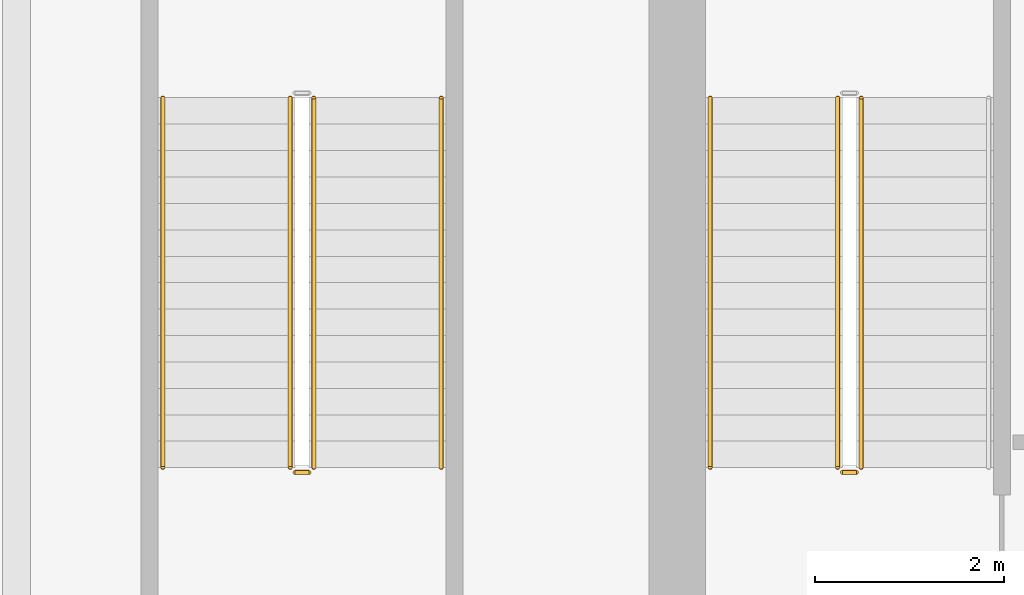
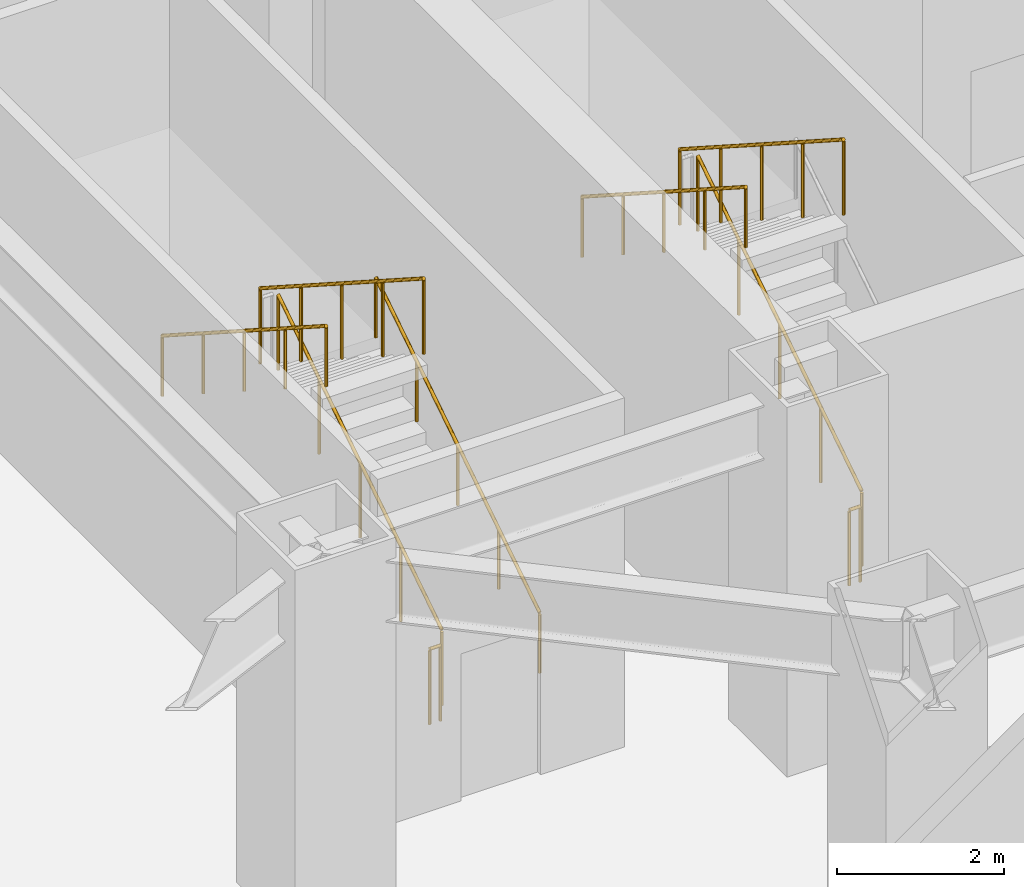
# One storey, part 45 of 51: 9 railings.
"""IFC4 building model written with IfcOpenShell, lengths in metres."""

from ifc_helpers import new_model, si_unit, direction, frame, origin, origin_2d, place, context, subcontext, project, spatial, circle, extrude, material, type_object, element, save


model = new_model("IFC4")

# Units and contexts
model_context = context("Model", 3, precision=1e-05, world=origin(), true_north=direction((0.0, 1.0)))
body_context = subcontext(model_context, "Body", "Model", "MODEL_VIEW")
ifc_project = project(units=[si_unit("LENGTHUNIT", "METRE"), si_unit("AREAUNIT", "SQUARE_METRE"), si_unit("VOLUMEUNIT", "CUBIC_METRE"), si_unit("PLANEANGLEUNIT", "RADIAN"), si_unit("MASSUNIT", "GRAM", prefix="KILO")], contexts=[model_context])

# Site, building, storey
site_placement = place(None, origin())
site = spatial("IfcSite", under=ifc_project, at=site_placement, CompositionType="ELEMENT")
building_placement = place(site_placement, origin())
building = spatial("IfcBuilding", under=site, at=building_placement, Name="Saevonmaru Cultural Tower", CompositionType="ELEMENT")
storey_placement = place(building_placement, frame((0.0, 0.0, 6.0)))
storey = spatial("IfcBuildingStorey", under=building, at=storey_placement, Name="L01", CompositionType="ELEMENT", Elevation=6.0)

# Railings
ifc_material_1 = material(Name="Architectural Painted Steel", Category="steel")
railing_type_1 = type_object("IfcRailingType", Name="RL-STAIR-GUARD", PredefinedType="GUARDRAIL", material=ifc_material_1)
railing_1_placement = place(storey_placement, frame((15.75, 44.85009765625, 0.179931640625)))
element("IfcRailing", 1, at=railing_1_placement, inside=storey, type_object=railing_type_1, Name="L01 ST-1 stair guard 1", PredefinedType="GUARDRAIL", context=body_context, shape_type="SweptSolid", body=[
    extrude(circle(Radius=0.02392578125, at=origin_2d()), frame((0.0, 0.0, 1.09619140625), z_axis=(0.0, 0.841171666519, 0.540768182723), x_axis=(-1.0, 0.0, 0.0)), (0.0, 0.0, 1.0), 4.66015625),
    extrude(circle(Radius=0.02099609375, at=origin_2d()), origin(), (0.0, 0.0, 1.0), 1.072021484375),
    extrude(circle(Radius=0.02099609375, at=origin_2d()), frame((0.0, 0.97998046875, 0.6298828125)), (0.0, 0.0, 1.0), 1.072021484375),
    extrude(circle(Radius=0.02099609375, at=origin_2d()), frame((0.0, 1.9599609375, 1.260009765625)), (0.0, 0.0, 1.0), 1.072021484375),
    extrude(circle(Radius=0.02099609375, at=origin_2d()), frame((0.0, 2.93994140625, 1.89013671875)), (0.0, 0.0, 1.0), 1.072021484375),
    extrude(circle(Radius=0.02099609375, at=origin_2d()), frame((0.0, 3.919921875, 2.52001953125)), (0.0, 0.0, 1.0), 1.072021484375),
])
railing_2_placement = place(storey_placement, frame((15.5, 48.77001953125, 2.8798828125)))
element("IfcRailing", 2, at=railing_2_placement, inside=storey, type_object=railing_type_1, Name="L01 ST-1 stair guard 3", PredefinedType="GUARDRAIL", context=body_context, shape_type="SweptSolid", body=[
    extrude(circle(Radius=0.02392578125, at=origin_2d()), frame((0.0, 0.0, 1.09619140625), z_axis=(0.0, -0.841171666519, 0.540768182723), x_axis=(1.0, 0.0, 0.0)), (0.0, 0.0, 1.0), 4.66015625),
    extrude(circle(Radius=0.02099609375, at=origin_2d()), origin(), (0.0, 0.0, 1.0), 1.072021484375),
    extrude(circle(Radius=0.02099609375, at=origin_2d()), frame((0.0, -0.97998046875, 0.6298828125)), (0.0, 0.0, 1.0), 1.072021484375),
    extrude(circle(Radius=0.02099609375, at=origin_2d()), frame((0.0, -1.9599609375, 1.260009765625)), (0.0, 0.0, 1.0), 1.072021484375),
    extrude(circle(Radius=0.02099609375, at=origin_2d()), frame((0.0, -2.93994140625, 1.89013671875)), (0.0, 0.0, 1.0), 1.072021484375),
    extrude(circle(Radius=0.02099609375, at=origin_2d()), frame((0.0, -3.919921875, 2.52001953125)), (0.0, 0.0, 1.0), 1.072021484375),
])
railing_3_placement = place(storey_placement, frame((15.699951171875, 44.800048828125, 0.0)))
element("IfcRailing", 3, at=railing_3_placement, inside=storey, type_object=railing_type_1, Name="L01 ST-1 stair guard 4", PredefinedType="GUARDRAIL", context=body_context, shape_type="SweptSolid", body=[
    extrude(circle(Radius=0.02392578125, at=origin_2d()), frame((0.0, 0.0, 1.09619140625), z_axis=(-1.0, 0.0, 0.0), x_axis=(0.0, -1.0, 0.0)), (0.0, 0.0, 1.0), 0.14990234375),
    extrude(circle(Radius=0.02099609375, at=origin_2d()), origin(), (0.0, 0.0, 1.0), 1.072021484375),
    extrude(circle(Radius=0.02099609375, at=origin_2d()), frame((-0.14990234375, 0.0, 0.0)), (0.0, 0.0, 1.0), 1.072021484375),
])
railing_4_placement = place(storey_placement, frame((9.949951171875, 44.85009765625, 0.179931640625)))
element("IfcRailing", 4, at=railing_4_placement, inside=storey, type_object=railing_type_1, Name="L01 ST-3 stair guard 1", PredefinedType="GUARDRAIL", context=body_context, shape_type="SweptSolid", body=[
    extrude(circle(Radius=0.02392578125, at=origin_2d()), frame((0.0, 0.0, 1.09619140625), z_axis=(0.0, 0.841171666519, 0.540768182723), x_axis=(-1.0, 0.0, 0.0)), (0.0, 0.0, 1.0), 4.66015625),
    extrude(circle(Radius=0.02099609375, at=origin_2d()), origin(), (0.0, 0.0, 1.0), 1.072021484375),
    extrude(circle(Radius=0.02099609375, at=origin_2d()), frame((0.0, 0.97998046875, 0.6298828125)), (0.0, 0.0, 1.0), 1.072021484375),
    extrude(circle(Radius=0.02099609375, at=origin_2d()), frame((0.0, 1.9599609375, 1.260009765625)), (0.0, 0.0, 1.0), 1.072021484375),
    extrude(circle(Radius=0.02099609375, at=origin_2d()), frame((0.0, 2.93994140625, 1.89013671875)), (0.0, 0.0, 1.0), 1.072021484375),
    extrude(circle(Radius=0.02099609375, at=origin_2d()), frame((0.0, 3.919921875, 2.52001953125)), (0.0, 0.0, 1.0), 1.072021484375),
])
railing_5_placement = place(storey_placement, frame((9.699951171875, 48.77001953125, 2.8798828125)))
element("IfcRailing", 5, at=railing_5_placement, inside=storey, type_object=railing_type_1, Name="L01 ST-3 stair guard 3", PredefinedType="GUARDRAIL", context=body_context, shape_type="SweptSolid", body=[
    extrude(circle(Radius=0.02392578125, at=origin_2d()), frame((0.0, 0.0, 1.09619140625), z_axis=(0.0, -0.841171666519, 0.540768182723), x_axis=(1.0, 0.0, 0.0)), (0.0, 0.0, 1.0), 4.66015625),
    extrude(circle(Radius=0.02099609375, at=origin_2d()), origin(), (0.0, 0.0, 1.0), 1.072021484375),
    extrude(circle(Radius=0.02099609375, at=origin_2d()), frame((0.0, -0.97998046875, 0.6298828125)), (0.0, 0.0, 1.0), 1.072021484375),
    extrude(circle(Radius=0.02099609375, at=origin_2d()), frame((0.0, -1.9599609375, 1.260009765625)), (0.0, 0.0, 1.0), 1.072021484375),
    extrude(circle(Radius=0.02099609375, at=origin_2d()), frame((0.0, -2.93994140625, 1.89013671875)), (0.0, 0.0, 1.0), 1.072021484375),
    extrude(circle(Radius=0.02099609375, at=origin_2d()), frame((0.0, -3.919921875, 2.52001953125)), (0.0, 0.0, 1.0), 1.072021484375),
])
railing_6_placement = place(storey_placement, frame((9.89990234375, 44.800048828125, 0.0)))
element("IfcRailing", 6, at=railing_6_placement, inside=storey, type_object=railing_type_1, Name="L01 ST-3 stair guard 4", PredefinedType="GUARDRAIL", context=body_context, shape_type="SweptSolid", body=[
    extrude(circle(Radius=0.02392578125, at=origin_2d()), frame((0.0, 0.0, 1.09619140625), z_axis=(-1.0, 0.0, 0.0), x_axis=(0.0, -1.0, 0.0)), (0.0, 0.0, 1.0), 0.14990234375),
    extrude(circle(Radius=0.02099609375, at=origin_2d()), origin(), (0.0, 0.0, 1.0), 1.072021484375),
    extrude(circle(Radius=0.02099609375, at=origin_2d()), frame((-0.14990234375, 0.0, 0.0)), (0.0, 0.0, 1.0), 1.072021484375),
])
ifc_material_2 = material(Name="Satin Bronze Anodised Aluminium", Category="aluminium")
railing_type_2 = type_object("IfcRailingType", Name="RL-STAIR-HANDRAIL", PredefinedType="HANDRAIL", material=ifc_material_2)
railing_7_placement = place(storey_placement, frame((14.14990234375, 48.77001953125, 2.8798828125)))
element("IfcRailing", 7, at=railing_7_placement, inside=storey, type_object=railing_type_2, Name="L01 ST-1 stair handrail 2", PredefinedType="HANDRAIL", context=body_context, shape_type="SweptSolid", body=[
    extrude(circle(Radius=0.02392578125, at=origin_2d()), frame((0.0, 0.0, 0.8759765625), z_axis=(0.0, -0.841171666519, 0.540768182723), x_axis=(1.0, 0.0, 0.0)), (0.0, 0.0, 1.0), 4.66015625),
    extrude(circle(Radius=0.02099609375, at=origin_2d()), origin(), (0.0, 0.0, 1.0), 0.851806640625),
    extrude(circle(Radius=0.02099609375, at=origin_2d()), frame((0.0, -0.97998046875, 0.6298828125)), (0.0, 0.0, 1.0), 0.851806640625),
    extrude(circle(Radius=0.02099609375, at=origin_2d()), frame((0.0, -1.9599609375, 1.260009765625)), (0.0, 0.0, 1.0), 0.851806640625),
    extrude(circle(Radius=0.02099609375, at=origin_2d()), frame((0.0, -2.93994140625, 1.89013671875)), (0.0, 0.0, 1.0), 0.851806640625),
    extrude(circle(Radius=0.02099609375, at=origin_2d()), frame((0.0, -3.919921875, 2.52001953125)), (0.0, 0.0, 1.0), 0.851806640625),
])
railing_8_placement = place(storey_placement, frame((11.300048828125, 44.85009765625, 0.179931640625)))
element("IfcRailing", 8, at=railing_8_placement, inside=storey, type_object=railing_type_2, Name="L01 ST-3 stair handrail 1", PredefinedType="HANDRAIL", context=body_context, shape_type="SweptSolid", body=[
    extrude(circle(Radius=0.02392578125, at=origin_2d()), frame((0.0, 0.0, 0.8759765625), z_axis=(0.0, 0.841171666519, 0.540768182723), x_axis=(-1.0, 0.0, 0.0)), (0.0, 0.0, 1.0), 4.66015625),
    extrude(circle(Radius=0.02099609375, at=origin_2d()), origin(), (0.0, 0.0, 1.0), 0.851806640625),
    extrude(circle(Radius=0.02099609375, at=origin_2d()), frame((0.0, 0.97998046875, 0.6298828125)), (0.0, 0.0, 1.0), 0.851806640625),
    extrude(circle(Radius=0.02099609375, at=origin_2d()), frame((0.0, 1.9599609375, 1.260009765625)), (0.0, 0.0, 1.0), 0.851806640625),
    extrude(circle(Radius=0.02099609375, at=origin_2d()), frame((0.0, 2.93994140625, 1.89013671875)), (0.0, 0.0, 1.0), 0.851806640625),
    extrude(circle(Radius=0.02099609375, at=origin_2d()), frame((0.0, 3.919921875, 2.52001953125)), (0.0, 0.0, 1.0), 0.851806640625),
])
railing_9_placement = place(storey_placement, frame((8.35009765625, 48.77001953125, 2.8798828125)))
element("IfcRailing", 9, at=railing_9_placement, inside=storey, type_object=railing_type_2, Name="L01 ST-3 stair handrail 2", PredefinedType="HANDRAIL", context=body_context, shape_type="SweptSolid", body=[
    extrude(circle(Radius=0.02392578125, at=origin_2d()), frame((0.0, 0.0, 0.8759765625), z_axis=(0.0, -0.841171666519, 0.540768182723), x_axis=(1.0, 0.0, 0.0)), (0.0, 0.0, 1.0), 4.66015625),
    extrude(circle(Radius=0.02099609375, at=origin_2d()), origin(), (0.0, 0.0, 1.0), 0.851806640625),
    extrude(circle(Radius=0.02099609375, at=origin_2d()), frame((0.0, -0.97998046875, 0.6298828125)), (0.0, 0.0, 1.0), 0.851806640625),
    extrude(circle(Radius=0.02099609375, at=origin_2d()), frame((0.0, -1.9599609375, 1.260009765625)), (0.0, 0.0, 1.0), 0.851806640625),
    extrude(circle(Radius=0.02099609375, at=origin_2d()), frame((0.0, -2.93994140625, 1.89013671875)), (0.0, 0.0, 1.0), 0.851806640625),
    extrude(circle(Radius=0.02099609375, at=origin_2d()), frame((0.0, -3.919921875, 2.52001953125)), (0.0, 0.0, 1.0), 0.851806640625),
])

save(model, "model.ifc")
